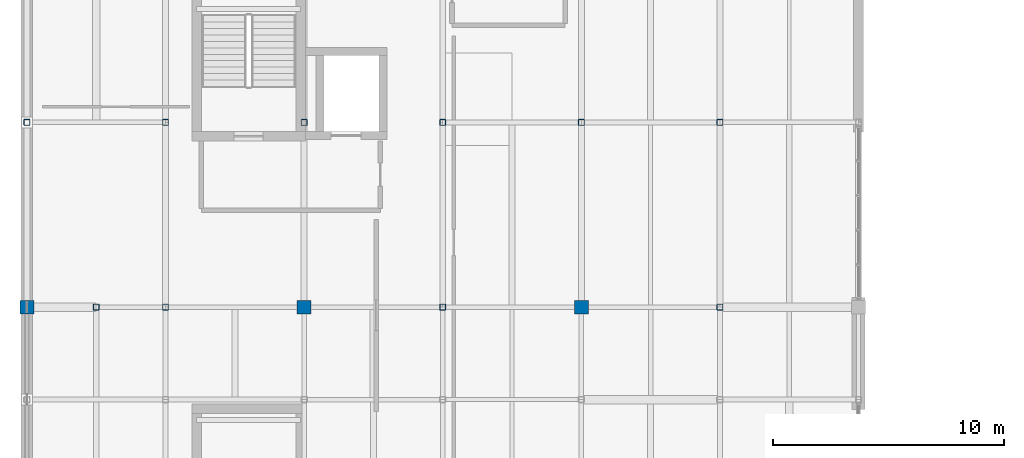
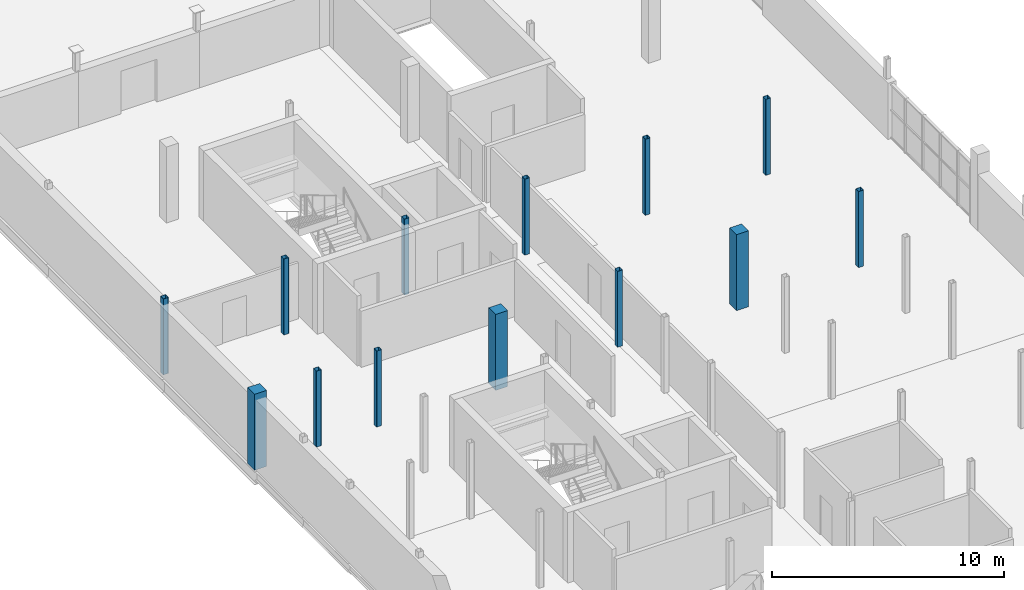
# One storey, part 5 of 35: 13 columns.
"""IFC4 building model written with IfcOpenShell, lengths in metres."""

from ifc_helpers import new_model, si_unit, direction, frame, origin, origin_2d, place, context, subcontext, project, spatial, rectangle, hollow_rectangle, extrude, material, material_profile, profile_set, type_object, element, save


model = new_model("IFC4")

# Units and contexts
model_context = context("Model", 3, precision=1e-05, world=origin(), true_north=direction((0.0, 1.0)))
body_context = subcontext(model_context, "Body", "Model", "MODEL_VIEW")
ifc_project = project(units=[si_unit("LENGTHUNIT", "METRE"), si_unit("AREAUNIT", "SQUARE_METRE"), si_unit("VOLUMEUNIT", "CUBIC_METRE"), si_unit("PLANEANGLEUNIT", "RADIAN"), si_unit("MASSUNIT", "GRAM", prefix="KILO")], contexts=[model_context])

# Site, building, storey
site_placement = place(None, origin())
site = spatial("IfcSite", under=ifc_project, at=site_placement, CompositionType="ELEMENT")
building_placement = place(site_placement, origin())
building = spatial("IfcBuilding", under=site, at=building_placement, Name="Verrall Gate Interchange", CompositionType="ELEMENT")
storey_placement = place(building_placement, frame((0.0, 0.0, 15.39990234375)))
storey = spatial("IfcBuildingStorey", under=building, at=storey_placement, Name="L04", CompositionType="ELEMENT", Elevation=15.39990234375)

# Columns
ifc_material_1 = material(Name="Concrete CSA A23.1 40 MPa (Class N)", Category="concrete")
ifc_material_profile_1 = material_profile(ifc_material_1, rectangle(XDim=0.60009765625, YDim=0.60009765625, at=origin_2d()), Name="RC600x600")
ifc_profile_set_1 = profile_set([ifc_material_profile_1], Name="Concrete CSA A23.1 40 MPa (Class N)")
column_type_1 = type_object("IfcColumnType", Name="C-04 Column RC600x600", PredefinedType="COLUMN", material=ifc_profile_set_1)
for number, where, z_axis, x_axis, name in (
    (1, (0.0, 48.0, 0.0), (0.0, 0.0, 1.0), (1.0, 0.0, 0.0), "L04 Column COL-L04-0070 (C-04)"),
    (2, (12.0, 48.0, 0.0), (0.0, 0.0, 1.0), (1.0, 0.0, 0.0), "L04 Column COL-L04-0330 (C-04)"),
    (3, (24.0, 48.0, 0.0), (0.0, 0.0, 1.0), (1.0, 0.0, 0.0), "L04 Column COL-L04-0564 (C-04)"),
):
    element("IfcColumn", number, at=place(storey_placement, frame(where, z_axis=z_axis, x_axis=x_axis)), inside=storey, type_object=column_type_1, Name=name, PredefinedType="COLUMN", context=body_context, shape_type="SweptSolid", body=[
        extrude(rectangle(XDim=0.60009765625, YDim=0.60009765625, at=origin_2d()), origin(), (0.0, 0.0, 1.0), 4.0),
    ])
ifc_material_2 = material(Name="Structural Steel CSA G40.21 350WT Cat 4", Category="steel")
ifc_material_profile_2 = material_profile(ifc_material_2, hollow_rectangle(XDim=0.25390625, YDim=0.25390625, WallThickness=0.009521484375, InnerFilletRadius=0.009521484375, OuterFilletRadius=0.01904296875, at=origin_2d()), Name="HSS254x254x9.5")
ifc_profile_set_2 = profile_set([ifc_material_profile_2], Name="Structural Steel CSA G40.21 350WT Cat 4")
column_type_2 = type_object("IfcColumnType", Name="C-13 Column HSS254x254x9.5", PredefinedType="COLUMN", material=ifc_profile_set_2)
for number, where, z_axis, x_axis, name in (
    (4, (0.0, 56.0, 0.0), (0.0, 0.0, 1.0), (1.0, 0.0, 0.0), "L04 Column COL-L04-0077 (C-13)"),
    (5, (3.0, 48.0, 0.0), (0.0, 0.0, 1.0), (1.0, 0.0, 0.0), "L04 Column COL-L04-0127 (C-13)"),
    (6, (6.0, 48.0, 0.0), (0.0, 0.0, 1.0), (1.0, 0.0, 0.0), "L04 Column COL-L04-0213 (C-13)"),
    (7, (6.0, 56.0, 0.0), (0.0, 0.0, 1.0), (1.0, 0.0, 0.0), "L04 Column COL-L04-0221 (C-13)"),
    (8, (12.0, 56.0, 0.0), (0.0, 0.0, 1.0), (1.0, 0.0, 0.0), "L04 Column COL-L04-0338 (C-13)"),
    (9, (18.0, 48.0, 0.0), (0.0, 0.0, 1.0), (1.0, 0.0, 0.0), "L04 Column COL-L04-0447 (C-13)"),
    (10, (18.0, 56.0, 0.0), (0.0, 0.0, 1.0), (1.0, 0.0, 0.0), "L04 Column COL-L04-0455 (C-13)"),
    (11, (24.0, 56.0, 0.0), (0.0, 0.0, 1.0), (1.0, 0.0, 0.0), "L04 Column COL-L04-0572 (C-13)"),
    (12, (30.0, 48.0, 0.0), (0.0, 0.0, 1.0), (1.0, 0.0, 0.0), "L04 Column COL-L04-0681 (C-13)"),
    (13, (30.0, 56.0, 0.0), (0.0, 0.0, 1.0), (1.0, 0.0, 0.0), "L04 Column COL-L04-0689 (C-13)"),
):
    element("IfcColumn", number, at=place(storey_placement, frame(where, z_axis=z_axis, x_axis=x_axis)), inside=storey, type_object=column_type_2, Name=name, PredefinedType="COLUMN", context=body_context, shape_type="SweptSolid", body=[
        extrude(hollow_rectangle(XDim=0.25390625, YDim=0.25390625, WallThickness=0.009521484375, InnerFilletRadius=0.009521484375, OuterFilletRadius=0.01904296875, at=origin_2d()), origin(), (0.0, 0.0, 1.0), 4.0),
    ])

save(model, "model.ifc")
